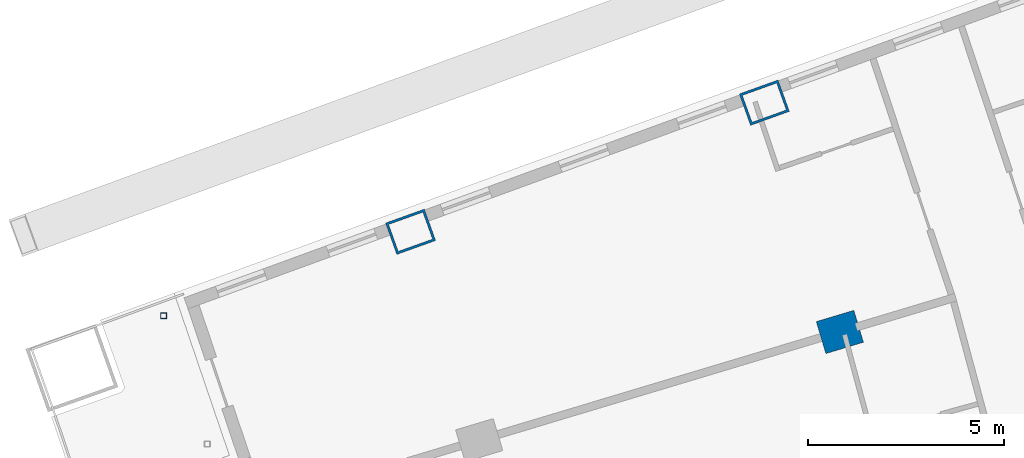
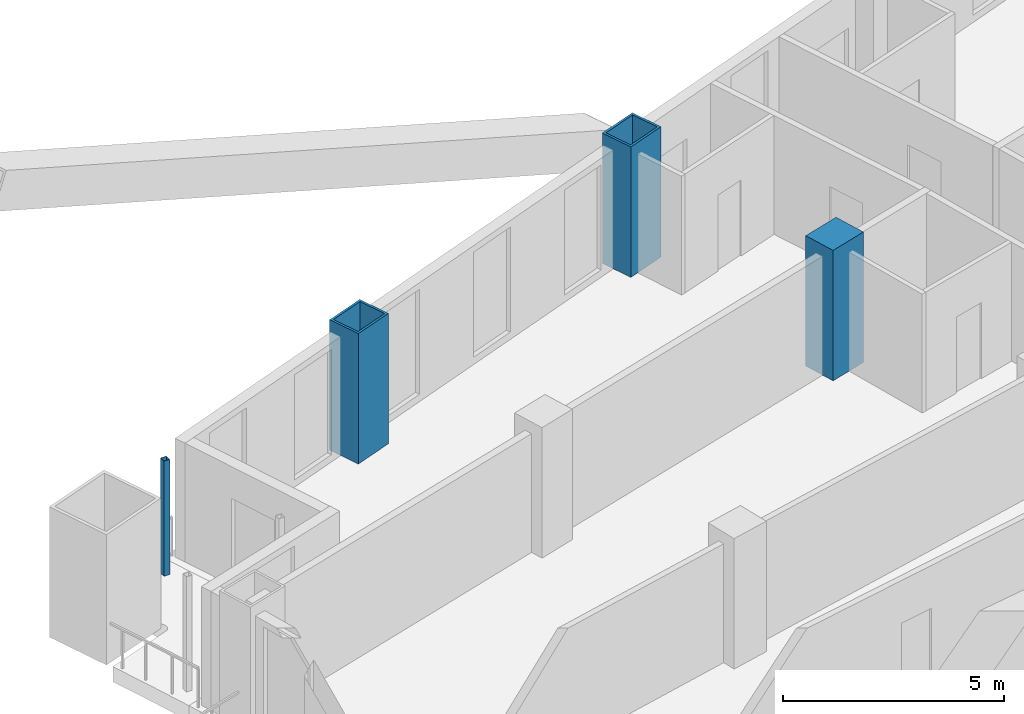
# One storey, part 9 of 25: 4 columns.
"""IFC4 building model written with IfcOpenShell, lengths in metres."""

from ifc_helpers import new_model, si_unit, direction, frame, origin, origin_2d, place, context, subcontext, project, spatial, rectangle, hollow_rectangle, extrude, material, material_profile, profile_set, type_object, element, save


model = new_model("IFC4")

# Units and contexts
model_context = context("Model", 3, precision=1e-05, world=origin(), true_north=direction((0.0, 1.0)))
body_context = subcontext(model_context, "Body", "Model", "MODEL_VIEW")
ifc_project = project(units=[si_unit("LENGTHUNIT", "METRE"), si_unit("AREAUNIT", "SQUARE_METRE"), si_unit("VOLUMEUNIT", "CUBIC_METRE"), si_unit("PLANEANGLEUNIT", "RADIAN"), si_unit("MASSUNIT", "GRAM", prefix="KILO")], contexts=[model_context])

# Site, building, storey
site_placement = place(None, origin())
site = spatial("IfcSite", under=ifc_project, at=site_placement, CompositionType="ELEMENT")
building_placement = place(site_placement, origin())
building = spatial("IfcBuilding", under=site, at=building_placement, Name="Alderwake Tower", CompositionType="ELEMENT")
storey_placement = place(building_placement, frame((0.0, 0.0, 93.199951171875)))
storey = spatial("IfcBuildingStorey", under=building, at=storey_placement, Name="L22", CompositionType="ELEMENT", Elevation=93.199951171875)

# Columns
ifc_material_1 = material(Name="Steel ASTM A572 Grade 50 concrete filled C70/85", Category="concrete")
ifc_material_profile_1 = material_profile(ifc_material_1, hollow_rectangle(XDim=0.85009765625, YDim=1.050048828125, WallThickness=0.06005859375, at=origin_2d()), Name="BOX 1050X850X60")
ifc_profile_set_1 = profile_set([ifc_material_profile_1], Name="Steel ASTM A572 Grade 50 concrete filled C70/85")
column_type_1 = type_object("IfcColumnType", Name="End column Z2", PredefinedType="COLUMN", material=ifc_profile_set_1)
for number, where, z_axis, x_axis, name in (
    (1, (19.965576171875, 96.8515625, 0.0), (0.0, 0.0, 1.0), (-0.337584879279, 0.9412950915, 0.0), "Column R13-C1"),
    (2, (28.983642578125, 100.143310546875, 0.0), (0.0, 0.0, 1.0), (-0.338026774049, 0.941136493834, 0.0), "Column R13-C2"),
):
    element("IfcColumn", number, at=place(storey_placement, frame(where, z_axis=z_axis, x_axis=x_axis)), inside=storey, type_object=column_type_1, Name=name, PredefinedType="COLUMN", context=body_context, shape_type="SweptSolid", body=[
        extrude(hollow_rectangle(XDim=0.85009765625, YDim=1.050048828125, WallThickness=0.06005859375, at=origin_2d()), origin(), (0.0, 0.0, 1.0), 3.60009765625),
    ])
ifc_material_2 = material(Name="Concrete C70/85", Category="concrete")
ifc_material_profile_2 = material_profile(ifc_material_2, rectangle(XDim=0.85009765625, YDim=1.0, at=origin_2d()), Name="RC 1000X850")
ifc_profile_set_2 = profile_set([ifc_material_profile_2], Name="Concrete C70/85")
column_type_2 = type_object("IfcColumnType", Name="Interior column Z2", PredefinedType="COLUMN", material=ifc_profile_set_2)
column_1_placement = place(storey_placement, frame((30.9091796875, 94.298095703125, 0.0), z_axis=(0.0, 0.0, 1.0), x_axis=(-0.287549418125, 0.957765802342, 0.0)))
element("IfcColumn", 3, at=column_1_placement, inside=storey, type_object=column_type_2, Name="Column R12-C2", PredefinedType="COLUMN", context=body_context, shape_type="SweptSolid", body=[
    extrude(rectangle(XDim=0.85009765625, YDim=1.0, at=origin_2d()), origin(), (0.0, 0.0, 1.0), 3.60009765625),
])
ifc_material_3 = material(Name="Steel ASTM A500 Grade C", Category="steel")
ifc_material_profile_3 = material_profile(ifc_material_3, hollow_rectangle(XDim=0.15234375, YDim=0.15234375, WallThickness=0.0087890625, at=origin_2d()), Name="HSS6X6X3/8")
ifc_profile_set_3 = profile_set([ifc_material_profile_3], Name="Steel ASTM A500 Grade C")
column_type_3 = type_object("IfcColumnType", Name="Light post HSS6X6X3/8", PredefinedType="COLUMN", material=ifc_profile_set_3)
column_2_placement = place(storey_placement, frame((13.66796875, 94.71240234375, 0.0), z_axis=(0.0, 0.0, 1.0), x_axis=(1.0, 0.0, 0.0)))
element("IfcColumn", 4, at=column_2_placement, inside=storey, type_object=column_type_3, Name="Terrace post RN2", PredefinedType="COLUMN", context=body_context, shape_type="SweptSolid", body=[
    extrude(hollow_rectangle(XDim=0.15234375, YDim=0.15234375, WallThickness=0.0087890625, at=origin_2d()), origin(), (0.0, 0.0, 1.0), 3.179931640625),
])

save(model, "model.ifc")
